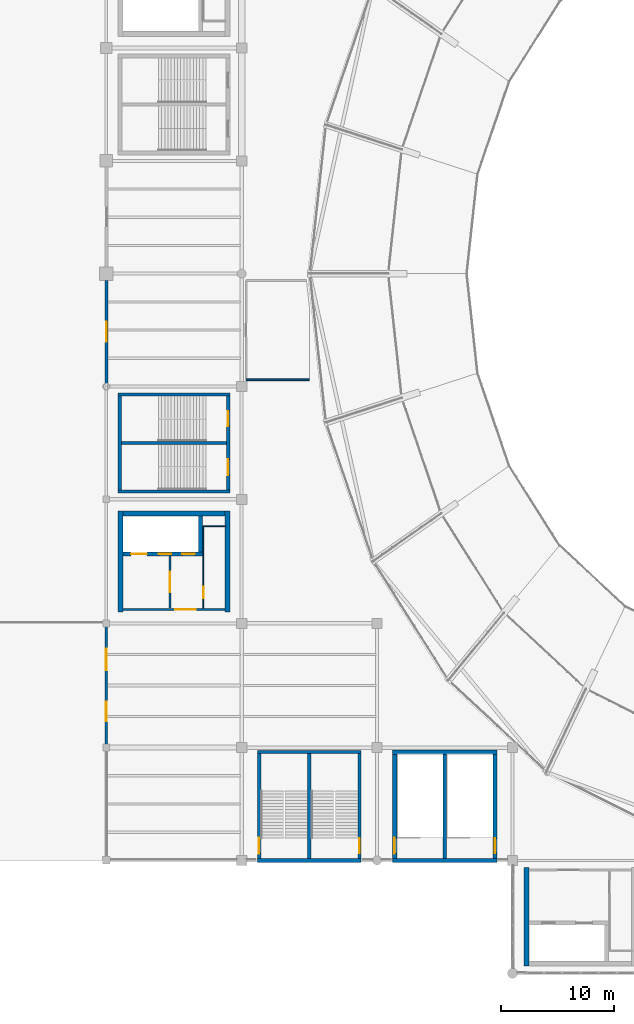
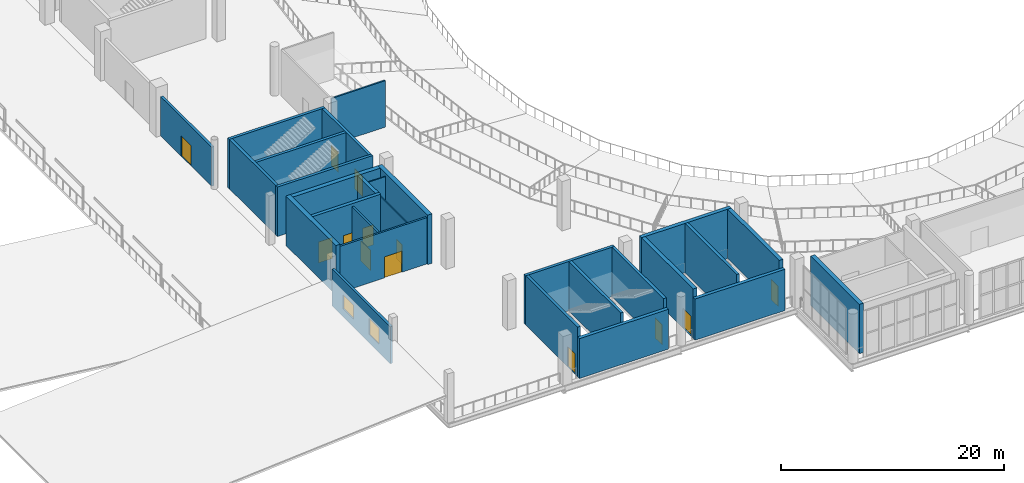
# One storey, part 50 of 74: 28 walls, 13 doors, 2 windows, 15 openings.
"""IFC4 building model written with IfcOpenShell, lengths in metres."""

from ifc_helpers import new_model, si_unit, direction, frame, frame_2d, origin, place, context, subcontext, project, spatial, rectangle, extrude, material, layer, layer_set, type_object, element, fill, save


model = new_model("IFC4")

# Units and contexts
model_context = context("Model", 3, precision=1e-05, world=origin(), true_north=direction((0.0, 1.0)))
body_context = subcontext(model_context, "Body", "Model", "MODEL_VIEW")
ifc_project = project(units=[si_unit("LENGTHUNIT", "METRE"), si_unit("AREAUNIT", "SQUARE_METRE"), si_unit("VOLUMEUNIT", "CUBIC_METRE"), si_unit("PLANEANGLEUNIT", "RADIAN"), si_unit("MASSUNIT", "GRAM", prefix="KILO")], contexts=[model_context])

# Site, building, storey
site_placement = place(None, origin())
site = spatial("IfcSite", under=ifc_project, at=site_placement, CompositionType="ELEMENT")
building_placement = place(site_placement, origin())
building = spatial("IfcBuilding", under=site, at=building_placement, Name="Brinegate Civic Arena", CompositionType="ELEMENT")
storey_placement = place(building_placement, frame((0.0, 0.0, 19.199951171875)))
storey = spatial("IfcBuildingStorey", under=building, at=storey_placement, Name="L04", CompositionType="ELEMENT", Elevation=19.199951171875)

# Wall, openings, doors
ifc_material_1 = material(Name="Concrete C50/60", Category="concrete")
ifc_layer_1 = layer(ifc_material_1, 0.35009765625, Name="Concrete C50/60")
ifc_layer_set_1 = layer_set([ifc_layer_1], Name="Concrete C50/60")
wall_type_1 = type_object("IfcWallType", Name="WALL-CORE-SHEAR-350", PredefinedType="SHEAR", material=ifc_layer_set_1)
wall_1_placement = place(storey_placement, frame((49.47509765625, 37.14990234375, 0.0), z_axis=(0.0, 0.0, 1.0), x_axis=(1.0, 0.0, 0.0)))
wall_1 = element("IfcWall", 1, at=wall_1_placement, inside=storey, type_object=wall_type_1, Name="Core K2 Lift Shaft Front Wall L04 (WBG-30)", PredefinedType="SHEAR", context=body_context, shape_type="SweptSolid", body=[
    extrude(rectangle(XDim=7.0498046875, YDim=0.35009765625, at=frame_2d((3.52490234375, 0.0))), origin(), (0.0, 0.0, 1.0), 5.400146484375),
])
opening_1_placement = place(wall_1_placement, frame((0.72509765625, 0.0, 0.0)))
opening_1 = element("IfcOpeningElement", 2, at=opening_1_placement, cuts=wall_1, Name="Opening LD-FL2-L04", PredefinedType="OPENING", context=body_context, shape_type="SweptSolid", body=[
    extrude(rectangle(XDim=1.39990234375, YDim=2.300048828125, at=frame_2d((0.699951171875, 1.14990234375))), frame((0.0, 0.18505859375, 0.0), z_axis=(0.0, -1.0, 0.0), x_axis=(1.0, 0.0, 0.0)), (0.0, 0.0, 1.0), 0.3701171875),
])
opening_2_placement = place(wall_1_placement, frame((3.175048828125, 0.0, 0.0)))
opening_2 = element("IfcOpeningElement", 3, at=opening_2_placement, cuts=wall_1, Name="Opening LD-PL3-L04", PredefinedType="OPENING", context=body_context, shape_type="SweptSolid", body=[
    extrude(rectangle(XDim=1.10009765625, YDim=2.199951171875, at=frame_2d((0.550048828125, 1.10009765625))), frame((0.0, 0.18505859375, 0.0), z_axis=(0.0, -1.0, 0.0), x_axis=(1.0, 0.0, 0.0)), (0.0, 0.0, 1.0), 0.3701171875),
])
opening_3_placement = place(wall_1_placement, frame((5.27490234375, 0.0, 0.0)))
opening_3 = element("IfcOpeningElement", 4, at=opening_3_placement, cuts=wall_1, Name="Opening LD-PL4-L04", PredefinedType="OPENING", context=body_context, shape_type="SweptSolid", body=[
    extrude(rectangle(XDim=1.10009765625, YDim=2.199951171875, at=frame_2d((0.550048828125, 1.10009765625))), frame((0.0, 0.18505859375, 0.0), z_axis=(0.0, -1.0, 0.0), x_axis=(1.0, 0.0, 0.0)), (0.0, 0.0, 1.0), 0.3701171875),
])
ifc_material_2 = material(Name="Architectural stainless steel balustrade", Category="steel")
door_type_1 = type_object("IfcDoorType", Name="DOOR-LIFT-1100X2200", OperationType="SLIDING_TO_LEFT", PredefinedType="DOOR", material=ifc_material_2)
door_1_placement = place(opening_2_placement, origin())
door_1 = element("IfcDoor", 5, at=door_1_placement, inside=storey, type_object=door_type_1, Name="Sliding Lift Landing Door LD-PL3-L04", OperationType="SLIDING_TO_LEFT", OverallHeight=2.199951171875, OverallWidth=1.10009765625, PredefinedType="DOOR", context=body_context, shape_type="SweptSolid", body=[
    extrude(rectangle(XDim=1.10009765625, YDim=2.199951171875, at=frame_2d((0.550048828125, 1.10009765625))), frame((0.0, 0.02490234375, 0.0), z_axis=(0.0, -1.0, 0.0), x_axis=(1.0, 0.0, 0.0)), (0.0, 0.0, 1.0), 0.050048828125),
])
fill(opening_2, door_1)
door_2_placement = place(opening_3_placement, origin())
door_2 = element("IfcDoor", 6, at=door_2_placement, inside=storey, type_object=door_type_1, Name="Sliding Lift Landing Door LD-PL4-L04", OperationType="SLIDING_TO_LEFT", OverallHeight=2.199951171875, OverallWidth=1.10009765625, PredefinedType="DOOR", context=body_context, shape_type="SweptSolid", body=[
    extrude(rectangle(XDim=1.10009765625, YDim=2.199951171875, at=frame_2d((0.550048828125, 1.10009765625))), frame((0.0, 0.02490234375, 0.0), z_axis=(0.0, -1.0, 0.0), x_axis=(1.0, 0.0, 0.0)), (0.0, 0.0, 1.0), 0.050048828125),
])
fill(opening_3, door_2)
door_type_2 = type_object("IfcDoorType", Name="DOOR-LIFT-1400X2300", OperationType="SLIDING_TO_LEFT", PredefinedType="DOOR", material=ifc_material_2)
door_3_placement = place(opening_1_placement, origin())
door_3 = element("IfcDoor", 7, at=door_3_placement, inside=storey, type_object=door_type_2, Name="Sliding Lift Landing Door LD-FL2-L04", OperationType="SLIDING_TO_LEFT", OverallHeight=2.300048828125, OverallWidth=1.39990234375, PredefinedType="DOOR", context=body_context, shape_type="SweptSolid", body=[
    extrude(rectangle(XDim=1.39990234375, YDim=2.300048828125, at=frame_2d((0.699951171875, 1.14990234375))), frame((0.0, 0.02490234375, 0.0), z_axis=(0.0, -1.0, 0.0), x_axis=(1.0, 0.0, 0.0)), (0.0, 0.0, 1.0), 0.050048828125),
])
fill(opening_1, door_3)

# Walls
wall_2_placement = place(storey_placement, frame((56.35009765625, 37.324951171875, 0.0), z_axis=(0.0, 0.0, 1.0), x_axis=(0.0, 1.0, 0.0)))
element("IfcWall", 8, at=wall_2_placement, inside=storey, type_object=wall_type_1, Name="Core K2 Lift Shaft End Wall L04 (WBG-31)", PredefinedType="SHEAR", context=body_context, shape_type="SweptSolid", body=[
    extrude(rectangle(XDim=3.199951171875, YDim=0.35009765625, at=frame_2d((1.60009765625, 0.0))), origin(), (0.0, 0.0, 1.0), 5.400146484375),
])
ifc_layer_2 = layer(ifc_material_1, 0.389892578125, Name="Concrete C50/60")
ifc_layer_set_2 = layer_set([ifc_layer_2], Name="Concrete C50/60")
wall_type_2 = type_object("IfcWallType", Name="WALL-CORE-SHEAR-390", PredefinedType="SHEAR", material=ifc_layer_set_2)
wall_3_placement = place(storey_placement, frame((73.35498046875, 19.60009765625, 0.0), z_axis=(0.0, 0.0, 1.0), x_axis=(1.0, 0.0, 0.0)))
element("IfcWall", 9, at=wall_3_placement, inside=storey, type_object=wall_type_2, Name="Stair ST-12 North Shear Wall L04 (WBE-26)", PredefinedType="SHEAR", context=body_context, shape_type="SweptSolid", body=[
    extrude(rectangle(XDim=9.2900390625, YDim=0.389892578125, at=frame_2d((4.64501953125, 0.0))), origin(), (0.0, 0.0, 1.0), 5.400146484375),
])

# Wall, opening, door
wall_4_placement = place(storey_placement, frame((73.550048828125, 10.175048828125, 0.0), z_axis=(0.0, 0.0, 1.0), x_axis=(0.0, 1.0, 0.0)))
wall_4 = element("IfcWall", 10, at=wall_4_placement, inside=storey, type_object=wall_type_2, Name="Stair ST-12 West Shear Wall L04 (WBE-27)", PredefinedType="SHEAR", context=body_context, shape_type="SweptSolid", body=[
    extrude(rectangle(XDim=9.22998046875, YDim=0.389892578125, at=frame_2d((4.614990234375, 0.0))), origin(), (0.0, 0.0, 1.0), 5.400146484375),
])
opening_4_placement = place(wall_4_placement, frame((0.425048828125, 0.0, 0.0)))
opening_4 = element("IfcOpeningElement", 11, at=opening_4_placement, cuts=wall_4, Name="Opening D-ST12A-L04", PredefinedType="OPENING", context=body_context, shape_type="SweptSolid", body=[
    extrude(rectangle(XDim=1.39990234375, YDim=2.199951171875, at=frame_2d((0.699951171875, 1.10009765625))), frame((0.0, 0.204833984375, 0.0), z_axis=(0.0, -1.0, 0.0), x_axis=(1.0, 0.0, 0.0)), (0.0, 0.0, 1.0), 0.409912109375),
])
ifc_material_3 = material(Name="Galvanized hurricane steel", Category="steel")
door_type_3 = type_object("IfcDoorType", Name="DOOR-STAIR-2400X2200", OperationType="NOTDEFINED", PredefinedType="DOOR", material=ifc_material_3)
door_4_placement = place(opening_4_placement, frame((1.39990234375, 0.0, 0.0), z_axis=(0.0, 0.0, 1.0), x_axis=(-1.0, 0.0, 0.0)))
door_4 = element("IfcDoor", 12, at=door_4_placement, inside=storey, type_object=door_type_3, Name="Protected Exit Stair Door D-ST12A-L04", OperationType="DOUBLE_DOOR_SINGLE_SWING", OverallHeight=2.199951171875, OverallWidth=1.39990234375, PredefinedType="DOOR", context=body_context, shape_type="SweptSolid", body=[
    extrude(rectangle(XDim=1.39990234375, YDim=2.199951171875, at=frame_2d((0.699951171875, 1.10009765625))), frame((0.0, 0.02490234375, 0.0), z_axis=(0.0, -1.0, 0.0), x_axis=(1.0, 0.0, 0.0)), (0.0, 0.0, 1.0), 0.050048828125),
])
fill(opening_4, door_4)

wall_5_placement = place(storey_placement, frame((82.449951171875, 10.175048828125, 0.0), z_axis=(0.0, 0.0, 1.0), x_axis=(0.0, 1.0, 0.0)))
wall_5 = element("IfcWall", 13, at=wall_5_placement, inside=storey, type_object=wall_type_2, Name="Stair ST-12 East Shear Wall L04 (WBE-28)", PredefinedType="SHEAR", context=body_context, shape_type="SweptSolid", body=[
    extrude(rectangle(XDim=9.22998046875, YDim=0.389892578125, at=frame_2d((4.614990234375, 0.0))), origin(), (0.0, 0.0, 1.0), 5.400146484375),
])
opening_5_placement = place(wall_5_placement, frame((0.465087890625, 0.0, 0.0)))
opening_5 = element("IfcOpeningElement", 14, at=opening_5_placement, cuts=wall_5, Name="Opening D-ST12B-L04", PredefinedType="OPENING", context=body_context, shape_type="SweptSolid", body=[
    extrude(rectangle(XDim=1.320068359375, YDim=2.199951171875, at=frame_2d((0.66015625, 1.10009765625))), frame((0.0, 0.204833984375, 0.0), z_axis=(0.0, -1.0, 0.0), x_axis=(1.0, 0.0, 0.0)), (0.0, 0.0, 1.0), 0.409912109375),
])
door_type_4 = type_object("IfcDoorType", Name="DOOR-STAIR-2200X2200", OperationType="NOTDEFINED", PredefinedType="DOOR", material=ifc_material_3)
door_5_placement = place(opening_5_placement, origin())
door_5 = element("IfcDoor", 15, at=door_5_placement, inside=storey, type_object=door_type_4, Name="Protected Exit Stair Door D-ST12B-L04", OperationType="DOUBLE_DOOR_SINGLE_SWING", OverallHeight=2.199951171875, OverallWidth=1.320068359375, PredefinedType="DOOR", context=body_context, shape_type="SweptSolid", body=[
    extrude(rectangle(XDim=1.320068359375, YDim=2.199951171875, at=frame_2d((0.66015625, 1.10009765625))), frame((0.0, 0.02490234375, 0.0), z_axis=(0.0, -1.0, 0.0), x_axis=(1.0, 0.0, 0.0)), (0.0, 0.0, 1.0), 0.050048828125),
])
fill(opening_5, door_5)

# Walls
ifc_layer_3 = layer(ifc_material_1, 0.419921875, Name="Concrete C50/60")
ifc_layer_set_3 = layer_set([ifc_layer_3], Name="Concrete C50/60")
wall_type_3 = type_object("IfcWallType", Name="WALL-CORE-SHEAR-420", PredefinedType="SHEAR", material=ifc_layer_set_3)
wall_6_placement = place(storey_placement, frame((85.25, 0.639892578125, 0.0), z_axis=(0.0, 0.0, 1.0), x_axis=(0.0, 1.0, 0.0)))
element("IfcWall", 16, at=wall_6_placement, inside=storey, type_object=wall_type_3, Name="Core K4 West Shear Wall L04 (WBH-32)", PredefinedType="SHEAR", context=body_context, shape_type="SweptSolid", body=[
    extrude(rectangle(XDim=8.72021484375, YDim=0.419921875, at=frame_2d((4.360107421875, 0.0))), origin(), (0.0, 0.0, 1.0), 5.400146484375),
])
ifc_layer_4 = layer(ifc_material_1, 0.449951171875, Name="Concrete C50/60")
ifc_layer_set_4 = layer_set([ifc_layer_4], Name="Concrete C50/60")
wall_type_4 = type_object("IfcWallType", Name="WALL-CORE-SHEAR-450", PredefinedType="SHEAR", material=ifc_layer_set_4)
for number, where, z_axis, x_axis, name in (
    (17, (49.25, 32.02490234375, 0.0), (0.0, 0.0, 1.0), (0.0, 1.0, 0.0), "Core K2 West Shear Wall L04 (WBG-27)"),
    (18, (58.75, 32.02490234375, 0.0), (0.0, 0.0, 1.0), (0.0, 1.0, 0.0), "Core K2 East Shear Wall L04 (WBG-28)"),
):
    element("IfcWall", number, at=place(storey_placement, frame(where, z_axis=z_axis, x_axis=x_axis)), inside=storey, type_object=wall_type_4, Name=name, PredefinedType="SHEAR", context=body_context, shape_type="SweptSolid", body=[
        extrude(rectangle(XDim=8.9501953125, YDim=0.449951171875, at=frame_2d((4.47509765625, 0.0))), origin(), (0.0, 0.0, 1.0), 5.400146484375),
    ])
wall_7_placement = place(storey_placement, frame((49.47509765625, 40.75, 0.0), z_axis=(0.0, 0.0, 1.0), x_axis=(1.0, 0.0, 0.0)))
element("IfcWall", 19, at=wall_7_placement, inside=storey, type_object=wall_type_4, Name="Core K2 North Shear Wall L04 (WBG-29)", PredefinedType="SHEAR", context=body_context, shape_type="SweptSolid", body=[
    extrude(rectangle(XDim=9.0498046875, YDim=0.449951171875, at=frame_2d((4.52490234375, 0.0))), origin(), (0.0, 0.0, 1.0), 5.400146484375),
])

# Wall, openings, windows
ifc_material_4 = material(Name="Concrete C40/50", Category="concrete")
ifc_layer_5 = layer(ifc_material_4, 0.239990234375, Name="Concrete C40/50")
ifc_layer_set_5 = layer_set([ifc_layer_5], Name="Concrete C40/50")
wall_type_5 = type_object("IfcWallType", Name="WALL-EXT-CONC-240", PredefinedType="SOLIDWALL", material=ifc_layer_set_5)
wall_8_placement = place(storey_placement, frame((48.0, 20.284912109375, 0.0), z_axis=(0.0, 0.0, 1.0), x_axis=(0.0, 1.0, 0.0)))
wall_8 = element("IfcWall", 20, at=wall_8_placement, inside=storey, type_object=wall_type_5, Name="Perimeter Window Wall L04-16 (WBA-16)", PredefinedType="SOLIDWALL", context=body_context, shape_type="SweptSolid", body=[
    extrude(rectangle(XDim=10.43017578125, YDim=0.239990234375, at=frame_2d((5.215087890625, 0.0))), origin(), (0.0, 0.0, 1.0), 4.050048828125),
])
opening_6_placement = place(wall_8_placement, frame((2.044921875, 0.0, 0.89990234375)))
opening_6 = element("IfcOpeningElement", 21, at=opening_6_placement, cuts=wall_8, Name="Opening WN-0029", PredefinedType="OPENING", context=body_context, shape_type="SweptSolid", body=[
    extrude(rectangle(XDim=1.75, YDim=1.75, at=frame_2d((0.875, 0.875))), frame((0.0, 0.1298828125, 0.0), z_axis=(0.0, -1.0, 0.0), x_axis=(1.0, 0.0, 0.0)), (0.0, 0.0, 1.0), 0.260009765625),
])
opening_7_placement = place(wall_8_placement, frame((6.56005859375, 0.0, 0.89990234375)))
opening_7 = element("IfcOpeningElement", 22, at=opening_7_placement, cuts=wall_8, Name="Opening WN-0030", PredefinedType="OPENING", context=body_context, shape_type="SweptSolid", body=[
    extrude(rectangle(XDim=1.89990234375, YDim=1.5, at=frame_2d((0.949951171875, 0.75))), frame((0.0, 0.1298828125, 0.0), z_axis=(0.0, -1.0, 0.0), x_axis=(1.0, 0.0, 0.0)), (0.0, 0.0, 1.0), 0.260009765625),
])
ifc_material_5 = material(Name="Hurricane laminated low-E glass", Category="glass")
window_type_1 = type_object("IfcWindowType", Name="WIN-CASEMENT-1750X1750", PartitioningType="SINGLE_PANEL", PredefinedType="WINDOW", material=ifc_material_5)
window_1_placement = place(opening_6_placement, origin())
window_1 = element("IfcWindow", 23, at=window_1_placement, inside=storey, type_object=window_type_1, Name="Window WN-0029", OverallHeight=1.75, OverallWidth=1.75, PartitioningType="SINGLE_PANEL", PredefinedType="WINDOW", context=body_context, shape_type="SweptSolid", body=[
    extrude(rectangle(XDim=1.75, YDim=1.75, at=frame_2d((0.875, 0.875))), frame((0.0, 0.030029296875, 0.0), z_axis=(0.0, -1.0, 0.0), x_axis=(1.0, 0.0, 0.0)), (0.0, 0.0, 1.0), 0.06005859375),
])
fill(opening_6, window_1)
window_type_2 = type_object("IfcWindowType", Name="WIN-CASEMENT-1900X1500", PartitioningType="SINGLE_PANEL", PredefinedType="WINDOW", material=ifc_material_5)
window_2_placement = place(opening_7_placement, origin())
window_2 = element("IfcWindow", 24, at=window_2_placement, inside=storey, type_object=window_type_2, Name="Window WN-0030", OverallHeight=1.5, OverallWidth=1.89990234375, PartitioningType="SINGLE_PANEL", PredefinedType="WINDOW", context=body_context, shape_type="SweptSolid", body=[
    extrude(rectangle(XDim=1.89990234375, YDim=1.5, at=frame_2d((0.949951171875, 0.75))), frame((0.0, 0.030029296875, 0.0), z_axis=(0.0, -1.0, 0.0), x_axis=(1.0, 0.0, 0.0)), (0.0, 0.0, 1.0), 0.06005859375),
])
fill(opening_7, window_2)

# Wall, opening, door
ifc_layer_6 = layer(ifc_material_4, 0.260009765625, Name="Concrete C40/50")
ifc_layer_set_6 = layer_set([ifc_layer_6], Name="Concrete C40/50")
wall_type_6 = type_object("IfcWallType", Name="WALL-EXT-CONC-260", PredefinedType="SOLIDWALL", material=ifc_layer_set_6)
wall_9_placement = place(storey_placement, frame((48.0, 52.2900390625, 0.0), z_axis=(0.0, 0.0, 1.0), x_axis=(0.0, 1.0, 0.0)))
wall_9 = element("IfcWall", 25, at=wall_9_placement, inside=storey, type_object=wall_type_6, Name="L04 Loggia Access Wall 01 (WBA-18)", PredefinedType="SOLIDWALL", context=body_context, shape_type="SweptSolid", body=[
    extrude(rectangle(XDim=9.125, YDim=0.260009765625, at=frame_2d((4.5625, 0.0))), origin(), (0.0, 0.0, 1.0), 4.280029296875),
])
opening_8_placement = place(wall_9_placement, frame((3.6630859375, 0.0, 0.0)))
opening_8 = element("IfcOpeningElement", 26, at=opening_8_placement, cuts=wall_9, Name="Opening D-L04-LOG1", PredefinedType="OPENING", context=body_context, shape_type="SweptSolid", body=[
    extrude(rectangle(XDim=1.800048828125, YDim=2.199951171875, at=frame_2d((0.89990234375, 1.10009765625))), frame((0.0, 0.139892578125, 0.0), z_axis=(0.0, -1.0, 0.0), x_axis=(1.0, 0.0, 0.0)), (0.0, 0.0, 1.0), 0.280029296875),
])
ifc_material_6 = material(Name="Marine grade aluminium", Category="aluminium")
door_type_5 = type_object("IfcDoorType", Name="DOOR-LOGGIA-1800X2200", OperationType="NOTDEFINED", PredefinedType="DOOR", material=ifc_material_6)
door_6_placement = place(opening_8_placement, origin())
door_6 = element("IfcDoor", 27, at=door_6_placement, inside=storey, type_object=door_type_5, Name="Loggia Terrace Access Door D-L04-LOG1", OperationType="SINGLE_SWING_LEFT", OverallHeight=2.199951171875, OverallWidth=1.800048828125, PredefinedType="DOOR", context=body_context, shape_type="SweptSolid", body=[
    extrude(rectangle(XDim=1.800048828125, YDim=2.199951171875, at=frame_2d((0.89990234375, 1.10009765625))), frame((0.0, 0.02490234375, 0.0), z_axis=(0.0, -1.0, 0.0), x_axis=(1.0, 0.0, 0.0)), (0.0, 0.0, 1.0), 0.050048828125),
])
fill(opening_8, door_6)

# Walls
ifc_layer_7 = layer(ifc_material_1, 0.35009765625, Name="Concrete C50/60")
ifc_layer_set_7 = layer_set([ifc_layer_7], Name="Concrete C50/60")
wall_type_7 = type_object("IfcWallType", Name="WALL-EXT-STAIR-SHEAR-350", PredefinedType="SHEAR", material=ifc_layer_set_7)
wall_10_placement = place(storey_placement, frame((61.405029296875, 10.0, 0.0), z_axis=(0.0, 0.0, 1.0), x_axis=(1.0, 0.0, 0.0)))
element("IfcWall", 28, at=wall_10_placement, inside=storey, type_object=wall_type_7, Name="Stair ST-02 South Shear Wall L04 (WBB-52)", PredefinedType="SHEAR", context=body_context, shape_type="SweptSolid", body=[
    extrude(rectangle(XDim=9.18994140625, YDim=0.35009765625, at=frame_2d((4.594970703125, 0.0))), origin(), (0.0, 0.0, 1.0), 4.35693359375),
])
wall_11_placement = place(storey_placement, frame((73.35498046875, 10.0, 0.0), z_axis=(0.0, 0.0, 1.0), x_axis=(1.0, 0.0, 0.0)))
element("IfcWall", 29, at=wall_11_placement, inside=storey, type_object=wall_type_7, Name="Stair ST-12 South Shear Wall L04 (WBE-25)", PredefinedType="SHEAR", context=body_context, shape_type="SweptSolid", body=[
    extrude(rectangle(XDim=9.2900390625, YDim=0.35009765625, at=frame_2d((4.64501953125, 0.0))), origin(), (0.0, 0.0, 1.0), 4.506103515625),
])
ifc_material_7 = material(Name="Fire-rated gypsum partition assembly")
ifc_layer_8 = layer(ifc_material_7, 0.159912109375, Name="Fire-rated gypsum partition assembly")
ifc_layer_set_8 = layer_set([ifc_layer_8], Name="Fire-rated gypsum partition assembly")
wall_type_8 = type_object("IfcWallType", Name="WALL-PART-RATED-160", PredefinedType="PARTITIONING", material=ifc_layer_set_8)
wall_12_placement = place(storey_placement, frame((66.0, 52.60009765625, 0.0), z_axis=(0.0, 0.0, 1.0), x_axis=(-1.0, 0.0, 0.0)))
element("IfcWall", 30, at=wall_12_placement, inside=storey, type_object=wall_type_8, Name="Upper Bowl First Aid Room Partition Wall E5 (WBK-40)", PredefinedType="PARTITIONING", context=body_context, shape_type="SweptSolid", body=[
    extrude(rectangle(XDim=5.60009765625, YDim=0.159912109375, at=frame_2d((2.800048828125, 0.0))), origin(), (0.0, 0.0, 1.0), 5.070068359375),
])

# Wall, opening, door
ifc_material_8 = material(Name="Concrete blockwork masonry", Category="masonry")
ifc_layer_9 = layer(ifc_material_8, 0.18994140625, Name="Concrete blockwork masonry")
ifc_layer_set_9 = layer_set([ifc_layer_9], Name="Concrete blockwork masonry")
wall_type_9 = type_object("IfcWallType", Name="WALL-PART-RATED-190", PredefinedType="PARTITIONING", material=ifc_layer_set_9)
wall_13_placement = place(storey_placement, frame((49.469970703125, 32.25, 0.0), z_axis=(0.0, 0.0, 1.0), x_axis=(1.0, 0.0, 0.0)))
wall_13 = element("IfcWall", 31, at=wall_13_placement, inside=storey, type_object=wall_type_9, Name="Core K2 Concourse Lobby Wall L04 (WBG-32)", PredefinedType="PARTITIONING", context=body_context, shape_type="SweptSolid", body=[
    extrude(rectangle(XDim=9.06005859375, YDim=0.18994140625, at=frame_2d((4.530029296875, 0.0))), origin(), (0.0, 0.0, 1.0), 5.070068359375),
])
opening_9_placement = place(wall_13_placement, frame((4.64990234375, 0.0, 0.0)))
opening_9 = element("IfcOpeningElement", 32, at=opening_9_placement, cuts=wall_13, Name="Opening D-K2L-L04", PredefinedType="OPENING", context=body_context, shape_type="SweptSolid", body=[
    extrude(rectangle(XDim=1.800048828125, YDim=2.300048828125, at=frame_2d((0.89990234375, 1.14990234375))), frame((0.0, 0.10498046875, 0.0), z_axis=(0.0, -1.0, 0.0), x_axis=(1.0, 0.0, 0.0)), (0.0, 0.0, 1.0), 0.2099609375),
])
door_type_6 = type_object("IfcDoorType", Name="DOOR-CONC-1800X2300", OperationType="NOTDEFINED", PredefinedType="DOOR", material=ifc_material_6)
door_7_placement = place(opening_9_placement, origin())
door_7 = element("IfcDoor", 33, at=door_7_placement, inside=storey, type_object=door_type_6, Name="Lift Lobby Door D-K2L-L04", OperationType="DOUBLE_DOOR_SINGLE_SWING", OverallHeight=2.300048828125, OverallWidth=1.800048828125, PredefinedType="DOOR", context=body_context, shape_type="SweptSolid", body=[
    extrude(rectangle(XDim=1.800048828125, YDim=2.300048828125, at=frame_2d((0.89990234375, 1.14990234375))), frame((0.0, 0.02490234375, 0.0), z_axis=(0.0, -1.0, 0.0), x_axis=(1.0, 0.0, 0.0)), (0.0, 0.0, 1.0), 0.050048828125),
])
fill(opening_9, door_7)

wall_14_placement = place(storey_placement, frame((53.64990234375, 32.35009765625, 0.0), z_axis=(0.0, 0.0, 1.0), x_axis=(0.0, 1.0, 0.0)))
wall_14 = element("IfcWall", 34, at=wall_14_placement, inside=storey, type_object=wall_type_9, Name="Firefighting Lobby K2 Wall L04 (WBG-33)", PredefinedType="PARTITIONING", context=body_context, shape_type="SweptSolid", body=[
    extrude(rectangle(XDim=4.625, YDim=0.18994140625, at=frame_2d((2.3125, 0.0))), origin(), (0.0, 0.0, 1.0), 5.070068359375),
])
opening_10_placement = place(wall_14_placement, frame((1.4130859375, 0.0, 0.0)))
opening_10 = element("IfcOpeningElement", 35, at=opening_10_placement, cuts=wall_14, Name="Opening D-K2F-L04", PredefinedType="OPENING", context=body_context, shape_type="SweptSolid", body=[
    extrude(rectangle(XDim=1.800048828125, YDim=2.199951171875, at=frame_2d((0.89990234375, 1.10009765625))), frame((0.0, 0.10498046875, 0.0), z_axis=(0.0, -1.0, 0.0), x_axis=(1.0, 0.0, 0.0)), (0.0, 0.0, 1.0), 0.2099609375),
])
door_type_7 = type_object("IfcDoorType", Name="DOOR-FFLOB-1800X2200", OperationType="NOTDEFINED", PredefinedType="DOOR", material=ifc_material_3)
door_8_placement = place(opening_10_placement, origin())
door_8 = element("IfcDoor", 36, at=door_8_placement, inside=storey, type_object=door_type_7, Name="Firefighting Lift Lobby Door D-K2F-L04", OperationType="DOUBLE_DOOR_SINGLE_SWING", OverallHeight=2.199951171875, OverallWidth=1.800048828125, PredefinedType="DOOR", context=body_context, shape_type="SweptSolid", body=[
    extrude(rectangle(XDim=1.800048828125, YDim=2.199951171875, at=frame_2d((0.89990234375, 1.10009765625))), frame((0.0, 0.02490234375, 0.0), z_axis=(0.0, -1.0, 0.0), x_axis=(1.0, 0.0, 0.0)), (0.0, 0.0, 1.0), 0.050048828125),
])
fill(opening_10, door_8)

ifc_layer_10 = layer(ifc_material_8, 0.10009765625, Name="Concrete blockwork masonry")
ifc_layer_set_10 = layer_set([ifc_layer_10], Name="Concrete blockwork masonry")
wall_type_10 = type_object("IfcWallType", Name="WALL-PART-WET-100", PredefinedType="PARTITIONING", material=ifc_layer_set_10)
wall_15_placement = place(storey_placement, frame((56.60009765625, 32.35009765625, 0.0), z_axis=(0.0, 0.0, 1.0), x_axis=(0.0, 1.0, 0.0)))
wall_15 = element("IfcWall", 37, at=wall_15_placement, inside=storey, type_object=wall_type_10, Name="Accessible WC K2 Partition L04 (WBG-34)", PredefinedType="PARTITIONING", context=body_context, shape_type="SweptSolid", body=[
    extrude(rectangle(XDim=7.25, YDim=0.10009765625, at=frame_2d((3.625, 0.0))), origin(), (0.0, 0.0, 1.0), 5.070068359375),
])
opening_11_placement = place(wall_15_placement, frame((0.89990234375, 0.0, 0.0)))
opening_11 = element("IfcOpeningElement", 38, at=opening_11_placement, cuts=wall_15, Name="Opening D-K2W-L04", PredefinedType="OPENING", context=body_context, shape_type="SweptSolid", body=[
    extrude(rectangle(XDim=1.0, YDim=2.10009765625, at=frame_2d((0.5, 1.050048828125))), frame((0.0, 0.06005859375, 0.0), z_axis=(0.0, -1.0, 0.0), x_axis=(1.0, 0.0, 0.0)), (0.0, 0.0, 1.0), 0.1201171875),
])
ifc_material_9 = material(Name="Hardwood acoustic timber door", Category="wood")
door_type_8 = type_object("IfcDoorType", Name="DOOR-AWC-1000X2100", OperationType="NOTDEFINED", PredefinedType="DOOR", material=ifc_material_9)
door_9_placement = place(opening_11_placement, origin())
door_9 = element("IfcDoor", 39, at=door_9_placement, inside=storey, type_object=door_type_8, Name="Accessible WC Door D-K2W-L04", OperationType="SINGLE_SWING_LEFT", OverallHeight=2.10009765625, OverallWidth=1.0, PredefinedType="DOOR", context=body_context, shape_type="SweptSolid", body=[
    extrude(rectangle(XDim=1.0, YDim=2.10009765625, at=frame_2d((0.5, 1.050048828125))), frame((0.0, 0.02490234375, 0.0), z_axis=(0.0, -1.0, 0.0), x_axis=(1.0, 0.0, 0.0)), (0.0, 0.0, 1.0), 0.050048828125),
])
fill(opening_11, door_9)

# Walls
wall_16_placement = place(storey_placement, frame((56.60009765625, 39.60009765625, 0.0), z_axis=(0.0, 0.0, 1.0), x_axis=(1.0, 0.0, 0.0)))
element("IfcWall", 40, at=wall_16_placement, inside=storey, type_object=wall_type_10, Name="Accessible WC K2 Back Partition L04 (WBG-35)", PredefinedType="PARTITIONING", context=body_context, shape_type="SweptSolid", body=[
    extrude(rectangle(XDim=2.0, YDim=0.10009765625, at=frame_2d((1.0, 0.0))), origin(), (0.0, 0.0, 1.0), 5.070068359375),
])
ifc_layer_11 = layer(ifc_material_1, 0.2900390625, Name="Concrete C50/60")
ifc_layer_set_11 = layer_set([ifc_layer_11], Name="Concrete C50/60")
wall_type_11 = type_object("IfcWallType", Name="WALL-STAIR-SHEAR-290", PredefinedType="SHEAR", material=ifc_layer_set_11)
wall_17_placement = place(storey_placement, frame((61.405029296875, 19.60009765625, 0.0), z_axis=(0.0, 0.0, 1.0), x_axis=(1.0, 0.0, 0.0)))
element("IfcWall", 41, at=wall_17_placement, inside=storey, type_object=wall_type_11, Name="Stair ST-02 North Shear Wall L04 (WBB-53)", PredefinedType="SHEAR", context=body_context, shape_type="SweptSolid", body=[
    extrude(rectangle(XDim=9.18994140625, YDim=0.2900390625, at=frame_2d((4.594970703125, 0.0))), origin(), (0.0, 0.0, 1.0), 5.400146484375),
])

# Wall, opening, door
wall_18_placement = place(storey_placement, frame((61.550048828125, 10.175048828125, 0.0), z_axis=(0.0, 0.0, 1.0), x_axis=(0.0, 1.0, 0.0)))
wall_18 = element("IfcWall", 42, at=wall_18_placement, inside=storey, type_object=wall_type_11, Name="Stair ST-02 West Shear Wall L04 (WBB-54)", PredefinedType="SHEAR", context=body_context, shape_type="SweptSolid", body=[
    extrude(rectangle(XDim=9.280029296875, YDim=0.2900390625, at=frame_2d((4.64013671875, 0.0))), origin(), (0.0, 0.0, 1.0), 5.400146484375),
])
opening_12_placement = place(wall_18_placement, frame((0.425048828125, 0.0, 0.0)))
opening_12 = element("IfcOpeningElement", 43, at=opening_12_placement, cuts=wall_18, Name="Opening D-ST02A-L04", PredefinedType="OPENING", context=body_context, shape_type="SweptSolid", body=[
    extrude(rectangle(XDim=1.39990234375, YDim=2.199951171875, at=frame_2d((0.699951171875, 1.10009765625))), frame((0.0, 0.155029296875, 0.0), z_axis=(0.0, -1.0, 0.0), x_axis=(1.0, 0.0, 0.0)), (0.0, 0.0, 1.0), 0.31005859375),
])
door_10_placement = place(opening_12_placement, frame((1.39990234375, 0.0, 0.0), z_axis=(0.0, 0.0, 1.0), x_axis=(-1.0, 0.0, 0.0)))
door_10 = element("IfcDoor", 44, at=door_10_placement, inside=storey, type_object=door_type_3, Name="Protected Exit Stair Door D-ST02A-L04", OperationType="DOUBLE_DOOR_SINGLE_SWING", OverallHeight=2.199951171875, OverallWidth=1.39990234375, PredefinedType="DOOR", context=body_context, shape_type="SweptSolid", body=[
    extrude(rectangle(XDim=1.39990234375, YDim=2.199951171875, at=frame_2d((0.699951171875, 1.10009765625))), frame((0.0, 0.02490234375, 0.0), z_axis=(0.0, -1.0, 0.0), x_axis=(1.0, 0.0, 0.0)), (0.0, 0.0, 1.0), 0.050048828125),
])
fill(opening_12, door_10)

wall_19_placement = place(storey_placement, frame((70.449951171875, 10.175048828125, 0.0), z_axis=(0.0, 0.0, 1.0), x_axis=(0.0, 1.0, 0.0)))
wall_19 = element("IfcWall", 45, at=wall_19_placement, inside=storey, type_object=wall_type_11, Name="Stair ST-02 East Shear Wall L04 (WBB-55)", PredefinedType="SHEAR", context=body_context, shape_type="SweptSolid", body=[
    extrude(rectangle(XDim=9.280029296875, YDim=0.2900390625, at=frame_2d((4.64013671875, 0.0))), origin(), (0.0, 0.0, 1.0), 5.400146484375),
])
opening_13_placement = place(wall_19_placement, frame((0.465087890625, 0.0, 0.0)))
opening_13 = element("IfcOpeningElement", 46, at=opening_13_placement, cuts=wall_19, Name="Opening D-ST02B-L04", PredefinedType="OPENING", context=body_context, shape_type="SweptSolid", body=[
    extrude(rectangle(XDim=1.320068359375, YDim=2.199951171875, at=frame_2d((0.66015625, 1.10009765625))), frame((0.0, 0.155029296875, 0.0), z_axis=(0.0, -1.0, 0.0), x_axis=(1.0, 0.0, 0.0)), (0.0, 0.0, 1.0), 0.31005859375),
])
door_11_placement = place(opening_13_placement, origin())
door_11 = element("IfcDoor", 47, at=door_11_placement, inside=storey, type_object=door_type_4, Name="Protected Exit Stair Door D-ST02B-L04", OperationType="DOUBLE_DOOR_SINGLE_SWING", OverallHeight=2.199951171875, OverallWidth=1.320068359375, PredefinedType="DOOR", context=body_context, shape_type="SweptSolid", body=[
    extrude(rectangle(XDim=1.320068359375, YDim=2.199951171875, at=frame_2d((0.66015625, 1.10009765625))), frame((0.0, 0.02490234375, 0.0), z_axis=(0.0, -1.0, 0.0), x_axis=(1.0, 0.0, 0.0)), (0.0, 0.0, 1.0), 0.050048828125),
])
fill(opening_13, door_11)

# Walls
wall_20_placement = place(storey_placement, frame((66.0, 10.175048828125, 0.0), z_axis=(0.0, 0.0, 1.0), x_axis=(0.0, 1.0, 0.0)))
element("IfcWall", 48, at=wall_20_placement, inside=storey, type_object=wall_type_11, Name="Stair ST-02 Central Dividing Shear Wall L04 (WBB-56)", PredefinedType="SHEAR", context=body_context, shape_type="SweptSolid", body=[
    extrude(rectangle(XDim=9.280029296875, YDim=0.2900390625, at=frame_2d((4.64013671875, 0.0))), origin(), (0.0, 0.0, 1.0), 5.400146484375),
])
for number, where, z_axis, x_axis, name in (
    (49, (49.054931640625, 42.699951171875, 0.0), (0.0, 0.0, 1.0), (1.0, 0.0, 0.0), "Stair ST-08 South Shear Wall L04 (WBD-19)"),
    (50, (49.054931640625, 51.300048828125, 0.0), (0.0, 0.0, 1.0), (1.0, 0.0, 0.0), "Stair ST-08 North Shear Wall L04 (WBD-20)"),
):
    element("IfcWall", number, at=place(storey_placement, frame(where, z_axis=z_axis, x_axis=x_axis)), inside=storey, type_object=wall_type_11, Name=name, PredefinedType="SHEAR", context=body_context, shape_type="SweptSolid", body=[
        extrude(rectangle(XDim=9.89013671875, YDim=0.2900390625, at=frame_2d((4.945068359375, 0.0))), origin(), (0.0, 0.0, 1.0), 5.400146484375),
    ])
wall_21_placement = place(storey_placement, frame((49.199951171875, 42.844970703125, 0.0), z_axis=(0.0, 0.0, 1.0), x_axis=(0.0, 1.0, 0.0)))
element("IfcWall", 51, at=wall_21_placement, inside=storey, type_object=wall_type_11, Name="Stair ST-08 West Shear Wall L04 (WBD-21)", PredefinedType="SHEAR", context=body_context, shape_type="SweptSolid", body=[
    extrude(rectangle(XDim=8.31005859375, YDim=0.2900390625, at=frame_2d((4.155029296875, 0.0))), origin(), (0.0, 0.0, 1.0), 5.400146484375),
])

# Wall, openings, doors
wall_22_placement = place(storey_placement, frame((58.800048828125, 42.844970703125, 0.0), z_axis=(0.0, 0.0, 1.0), x_axis=(0.0, 1.0, 0.0)))
wall_22 = element("IfcWall", 52, at=wall_22_placement, inside=storey, type_object=wall_type_11, Name="Stair ST-08 East Shear Wall L04 (WBD-22)", PredefinedType="SHEAR", context=body_context, shape_type="SweptSolid", body=[
    extrude(rectangle(XDim=8.31005859375, YDim=0.2900390625, at=frame_2d((4.155029296875, 0.0))), origin(), (0.0, 0.0, 1.0), 5.400146484375),
])
opening_14_placement = place(wall_22_placement, frame((1.304931640625, 0.0, 0.0)))
opening_14 = element("IfcOpeningElement", 53, at=opening_14_placement, cuts=wall_22, Name="Opening D-ST08A-L04", PredefinedType="OPENING", context=body_context, shape_type="SweptSolid", body=[
    extrude(rectangle(XDim=1.39990234375, YDim=2.199951171875, at=frame_2d((0.699951171875, 1.10009765625))), frame((0.0, 0.155029296875, 0.0), z_axis=(0.0, -1.0, 0.0), x_axis=(1.0, 0.0, 0.0)), (0.0, 0.0, 1.0), 0.31005859375),
])
opening_15_placement = place(wall_22_placement, frame((5.64501953125, 0.0, 0.0)))
opening_15 = element("IfcOpeningElement", 54, at=opening_15_placement, cuts=wall_22, Name="Opening D-ST08B-L04", PredefinedType="OPENING", context=body_context, shape_type="SweptSolid", body=[
    extrude(rectangle(XDim=1.320068359375, YDim=2.199951171875, at=frame_2d((0.66015625, 1.10009765625))), frame((0.0, 0.155029296875, 0.0), z_axis=(0.0, -1.0, 0.0), x_axis=(1.0, 0.0, 0.0)), (0.0, 0.0, 1.0), 0.31005859375),
])
door_12_placement = place(opening_15_placement, origin())
door_12 = element("IfcDoor", 55, at=door_12_placement, inside=storey, type_object=door_type_4, Name="Protected Exit Stair Door D-ST08B-L04", OperationType="DOUBLE_DOOR_SINGLE_SWING", OverallHeight=2.199951171875, OverallWidth=1.320068359375, PredefinedType="DOOR", context=body_context, shape_type="SweptSolid", body=[
    extrude(rectangle(XDim=1.320068359375, YDim=2.199951171875, at=frame_2d((0.66015625, 1.10009765625))), frame((0.0, 0.02490234375, 0.0), z_axis=(0.0, -1.0, 0.0), x_axis=(1.0, 0.0, 0.0)), (0.0, 0.0, 1.0), 0.050048828125),
])
fill(opening_15, door_12)
door_13_placement = place(opening_14_placement, origin())
door_13 = element("IfcDoor", 56, at=door_13_placement, inside=storey, type_object=door_type_3, Name="Protected Exit Stair Door D-ST08A-L04", OperationType="DOUBLE_DOOR_SINGLE_SWING", OverallHeight=2.199951171875, OverallWidth=1.39990234375, PredefinedType="DOOR", context=body_context, shape_type="SweptSolid", body=[
    extrude(rectangle(XDim=1.39990234375, YDim=2.199951171875, at=frame_2d((0.699951171875, 1.10009765625))), frame((0.0, 0.02490234375, 0.0), z_axis=(0.0, -1.0, 0.0), x_axis=(1.0, 0.0, 0.0)), (0.0, 0.0, 1.0), 0.050048828125),
])
fill(opening_14, door_13)

# Walls
wall_23_placement = place(storey_placement, frame((49.344970703125, 47.0, 0.0), z_axis=(0.0, 0.0, 1.0), x_axis=(1.0, 0.0, 0.0)))
element("IfcWall", 57, at=wall_23_placement, inside=storey, type_object=wall_type_11, Name="Stair ST-08 Central Dividing Shear Wall L04 (WBD-23)", PredefinedType="SHEAR", context=body_context, shape_type="SweptSolid", body=[
    extrude(rectangle(XDim=9.31005859375, YDim=0.2900390625, at=frame_2d((4.655029296875, 0.0))), origin(), (0.0, 0.0, 1.0), 5.400146484375),
])
wall_24_placement = place(storey_placement, frame((78.0, 10.175048828125, 0.0), z_axis=(0.0, 0.0, 1.0), x_axis=(0.0, 1.0, 0.0)))
element("IfcWall", 58, at=wall_24_placement, inside=storey, type_object=wall_type_11, Name="Stair ST-12 Central Dividing Shear Wall L04 (WBE-29)", PredefinedType="SHEAR", context=body_context, shape_type="SweptSolid", body=[
    extrude(rectangle(XDim=9.22998046875, YDim=0.2900390625, at=frame_2d((4.614990234375, 0.0))), origin(), (0.0, 0.0, 1.0), 5.400146484375),
])

save(model, "model.ifc")
